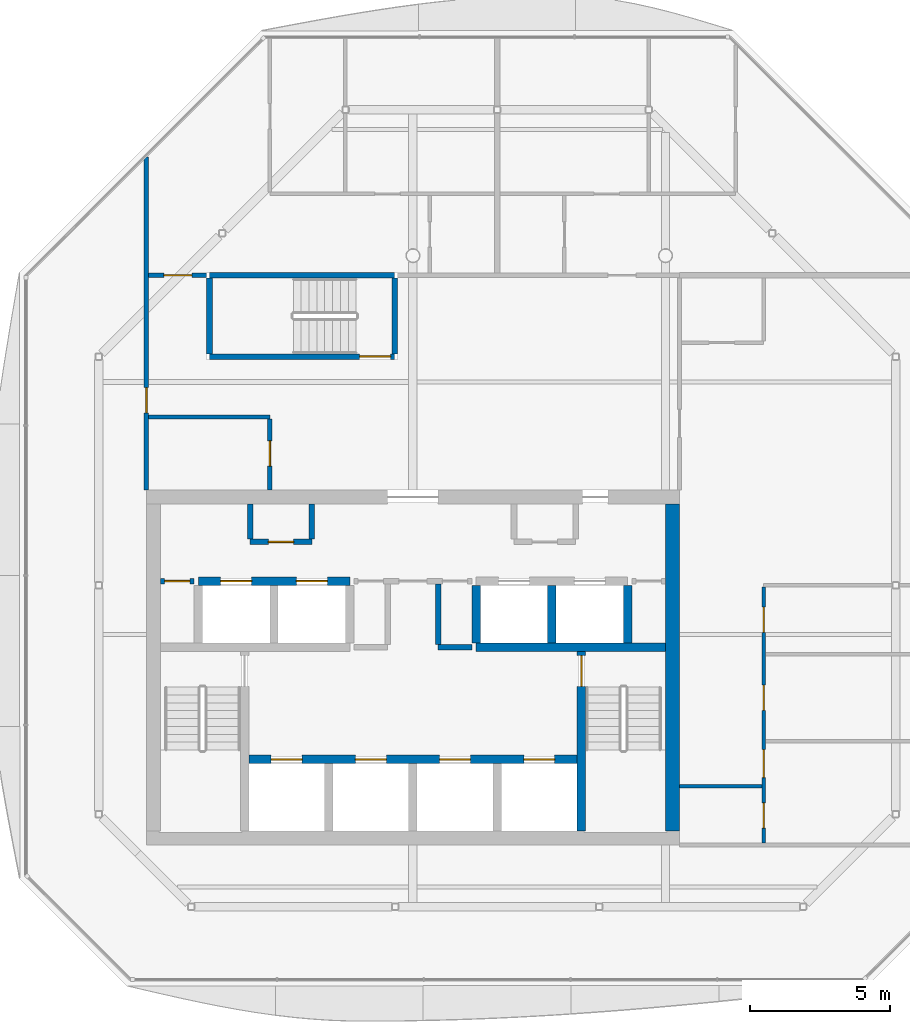
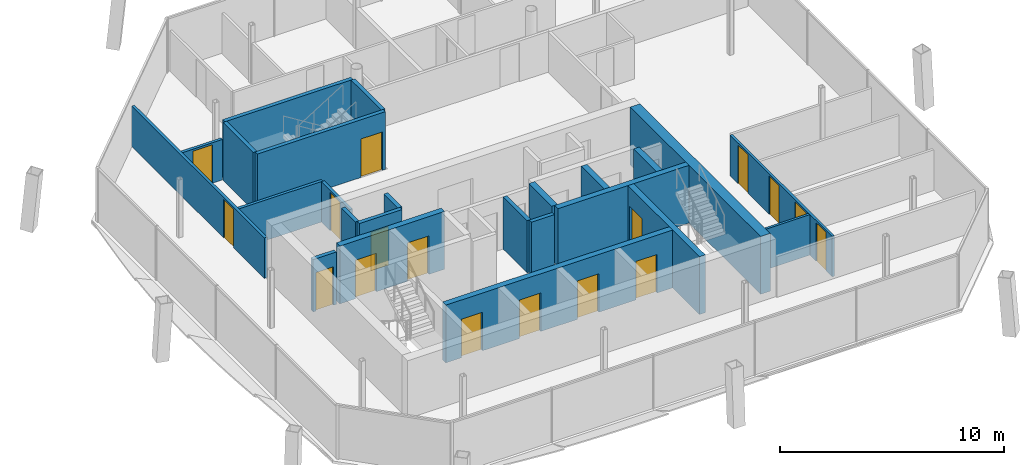
# One storey, part 10 of 16: 24 walls, 17 doors, 17 openings.
"""IFC4 building model written with IfcOpenShell, lengths in metres."""

from ifc_helpers import new_model, si_unit, direction, frame, frame_2d, origin, place, context, subcontext, project, spatial, rectangle, extrude, material, layer, layer_set, type_object, element, fill, save


model = new_model("IFC4")

# Units and contexts
model_context = context("Model", 3, precision=1e-05, world=origin(), true_north=direction((0.0, 1.0)))
body_context = subcontext(model_context, "Body", "Model", "MODEL_VIEW")
ifc_project = project(units=[si_unit("LENGTHUNIT", "METRE"), si_unit("AREAUNIT", "SQUARE_METRE"), si_unit("VOLUMEUNIT", "CUBIC_METRE"), si_unit("PLANEANGLEUNIT", "RADIAN"), si_unit("MASSUNIT", "GRAM", prefix="KILO")], contexts=[model_context])

# Site, building, storey
site_placement = place(None, origin())
site = spatial("IfcSite", under=ifc_project, at=site_placement, CompositionType="ELEMENT")
building_placement = place(site_placement, origin())
building = spatial("IfcBuilding", under=site, at=building_placement, Name="Tskaro Facet Tower", CompositionType="ELEMENT")
storey_placement = place(building_placement, frame((0.0, 0.0, 262.64990234375)))
storey = spatial("IfcBuildingStorey", under=building, at=storey_placement, Name="L69", CompositionType="ELEMENT", Elevation=262.64990234375)

# Wall, openings, doors
ifc_material_1 = material(Name="Concrete C60/75", Category="concrete")
ifc_layer_1 = layer(ifc_material_1, 0.300048828125, Name="Concrete C60/75")
ifc_layer_set_1 = layer_set([ifc_layer_1], Name="Concrete C60/75")
wall_type_1 = type_object("IfcWallType", Name="CORE-SHAFT", PredefinedType="SHEAR", material=ifc_layer_set_1)
wall_1_placement = place(storey_placement, frame((-5.85009765625, -8.949951171875, 0.0), z_axis=(0.0, 0.0, 1.0), x_axis=(1.0, 0.0, 0.0)))
wall_1 = element("IfcWall", 1, at=wall_1_placement, inside=storey, type_object=wall_type_1, Name="Shaft wall W003", PredefinedType="SHEAR", context=body_context, shape_type="SweptSolid", body=[
    extrude(rectangle(XDim=11.7001953125, YDim=0.300048828125, at=frame_2d((5.85009765625, 0.0))), origin(), (0.0, 0.0, 1.0), 3.150146484375),
])
opening_1_placement = place(wall_1_placement, frame((0.800048828125, 0.0, 0.0)))
opening_1 = element("IfcOpeningElement", 2, at=opening_1_placement, cuts=wall_1, Name="Opening LD-FF1", PredefinedType="OPENING", context=body_context, shape_type="SweptSolid", body=[
    extrude(rectangle(XDim=1.10009765625, YDim=2.10009765625, at=frame_2d((0.550048828125, 1.050048828125))), frame((0.0, 0.159912109375, 0.0), z_axis=(0.0, -1.0, 0.0), x_axis=(1.0, 0.0, 0.0)), (0.0, 0.0, 1.0), 0.320068359375),
])
opening_2_placement = place(wall_1_placement, frame((3.800048828125, 0.0, 0.0)))
opening_2 = element("IfcOpeningElement", 3, at=opening_2_placement, cuts=wall_1, Name="Opening LD-FF2", PredefinedType="OPENING", context=body_context, shape_type="SweptSolid", body=[
    extrude(rectangle(XDim=1.10009765625, YDim=2.10009765625, at=frame_2d((0.550048828125, 1.050048828125))), frame((0.0, 0.159912109375, 0.0), z_axis=(0.0, -1.0, 0.0), x_axis=(1.0, 0.0, 0.0)), (0.0, 0.0, 1.0), 0.320068359375),
])
opening_3_placement = place(wall_1_placement, frame((6.800048828125, 0.0, 0.0)))
opening_3 = element("IfcOpeningElement", 4, at=opening_3_placement, cuts=wall_1, Name="Opening LD-SV1", PredefinedType="OPENING", context=body_context, shape_type="SweptSolid", body=[
    extrude(rectangle(XDim=1.10009765625, YDim=2.10009765625, at=frame_2d((0.550048828125, 1.050048828125))), frame((0.0, 0.159912109375, 0.0), z_axis=(0.0, -1.0, 0.0), x_axis=(1.0, 0.0, 0.0)), (0.0, 0.0, 1.0), 0.320068359375),
])
opening_4_placement = place(wall_1_placement, frame((9.800048828125, 0.0, 0.0)))
opening_4 = element("IfcOpeningElement", 5, at=opening_4_placement, cuts=wall_1, Name="Opening LD-SV2", PredefinedType="OPENING", context=body_context, shape_type="SweptSolid", body=[
    extrude(rectangle(XDim=1.10009765625, YDim=2.10009765625, at=frame_2d((0.550048828125, 1.050048828125))), frame((0.0, 0.159912109375, 0.0), z_axis=(0.0, -1.0, 0.0), x_axis=(1.0, 0.0, 0.0)), (0.0, 0.0, 1.0), 0.320068359375),
])
ifc_material_2 = material(Name="Stainless steel", Category="steel")
door_type_1 = type_object("IfcDoorType", Name="D-LANDING", OperationType="NOTDEFINED", PredefinedType="DOOR", material=ifc_material_2)
door_1_placement = place(opening_1_placement, origin())
door_1 = element("IfcDoor", 6, at=door_1_placement, inside=storey, type_object=door_type_1, Name="Landing door FF1", OperationType="DOUBLE_DOOR_SLIDING", OverallHeight=2.10009765625, OverallWidth=1.10009765625, PredefinedType="DOOR", context=body_context, shape_type="SweptSolid", body=[
    extrude(rectangle(XDim=1.10009765625, YDim=2.10009765625, at=frame_2d((0.550048828125, 1.050048828125))), frame((0.0, 0.02490234375, 0.0), z_axis=(0.0, -1.0, 0.0), x_axis=(1.0, 0.0, 0.0)), (0.0, 0.0, 1.0), 0.050048828125),
])
fill(opening_1, door_1)
door_2_placement = place(opening_2_placement, origin())
door_2 = element("IfcDoor", 7, at=door_2_placement, inside=storey, type_object=door_type_1, Name="Landing door FF2", OperationType="DOUBLE_DOOR_SLIDING", OverallHeight=2.10009765625, OverallWidth=1.10009765625, PredefinedType="DOOR", context=body_context, shape_type="SweptSolid", body=[
    extrude(rectangle(XDim=1.10009765625, YDim=2.10009765625, at=frame_2d((0.550048828125, 1.050048828125))), frame((0.0, 0.02490234375, 0.0), z_axis=(0.0, -1.0, 0.0), x_axis=(1.0, 0.0, 0.0)), (0.0, 0.0, 1.0), 0.050048828125),
])
fill(opening_2, door_2)
door_3_placement = place(opening_3_placement, origin())
door_3 = element("IfcDoor", 8, at=door_3_placement, inside=storey, type_object=door_type_1, Name="Landing door SV1", OperationType="DOUBLE_DOOR_SLIDING", OverallHeight=2.10009765625, OverallWidth=1.10009765625, PredefinedType="DOOR", context=body_context, shape_type="SweptSolid", body=[
    extrude(rectangle(XDim=1.10009765625, YDim=2.10009765625, at=frame_2d((0.550048828125, 1.050048828125))), frame((0.0, 0.02490234375, 0.0), z_axis=(0.0, -1.0, 0.0), x_axis=(1.0, 0.0, 0.0)), (0.0, 0.0, 1.0), 0.050048828125),
])
fill(opening_3, door_3)
door_4_placement = place(opening_4_placement, origin())
door_4 = element("IfcDoor", 9, at=door_4_placement, inside=storey, type_object=door_type_1, Name="Landing door SV2", OperationType="DOUBLE_DOOR_SLIDING", OverallHeight=2.10009765625, OverallWidth=1.10009765625, PredefinedType="DOOR", context=body_context, shape_type="SweptSolid", body=[
    extrude(rectangle(XDim=1.10009765625, YDim=2.10009765625, at=frame_2d((0.550048828125, 1.050048828125))), frame((0.0, 0.02490234375, 0.0), z_axis=(0.0, -1.0, 0.0), x_axis=(1.0, 0.0, 0.0)), (0.0, 0.0, 1.0), 0.050048828125),
])
fill(opening_4, door_4)

# Wall
wall_2_placement = place(storey_placement, frame((2.25, -4.949951171875, 0.0), z_axis=(0.0, 0.0, 1.0), x_axis=(1.0, 0.0, 0.0)))
element("IfcWall", 10, at=wall_2_placement, inside=storey, type_object=wall_type_1, Name="Shaft wall W009", PredefinedType="SHEAR", context=body_context, shape_type="SweptSolid", body=[
    extrude(rectangle(XDim=6.75, YDim=0.300048828125, at=frame_2d((3.375, 0.0))), origin(), (0.0, 0.0, 1.0), 3.150146484375),
])

# Wall, openings, doors
wall_3_placement = place(storey_placement, frame((-7.64990234375, -2.60009765625, 0.0), z_axis=(0.0, 0.0, 1.0), x_axis=(1.0, 0.0, 0.0)))
wall_3 = element("IfcWall", 11, at=wall_3_placement, inside=storey, type_object=wall_type_1, Name="Shaft wall W013", PredefinedType="SHEAR", context=body_context, shape_type="SweptSolid", body=[
    extrude(rectangle(XDim=5.39990234375, YDim=0.300048828125, at=frame_2d((2.699951171875, 0.0))), origin(), (0.0, 0.0, 1.0), 3.150146484375),
])
opening_5_placement = place(wall_3_placement, frame((0.800048828125, 0.0, 0.0)))
opening_5 = element("IfcOpeningElement", 12, at=opening_5_placement, cuts=wall_3, Name="Opening LD-HB1", PredefinedType="OPENING", context=body_context, shape_type="SweptSolid", body=[
    extrude(rectangle(XDim=1.10009765625, YDim=2.10009765625, at=frame_2d((0.550048828125, 1.050048828125))), frame((0.0, 0.159912109375, 0.0), z_axis=(0.0, -1.0, 0.0), x_axis=(1.0, 0.0, 0.0)), (0.0, 0.0, 1.0), 0.320068359375),
])
opening_6_placement = place(wall_3_placement, frame((3.5, 0.0, 0.0)))
opening_6 = element("IfcOpeningElement", 13, at=opening_6_placement, cuts=wall_3, Name="Opening LD-HB2", PredefinedType="OPENING", context=body_context, shape_type="SweptSolid", body=[
    extrude(rectangle(XDim=1.10009765625, YDim=2.10009765625, at=frame_2d((0.550048828125, 1.050048828125))), frame((0.0, 0.159912109375, 0.0), z_axis=(0.0, -1.0, 0.0), x_axis=(1.0, 0.0, 0.0)), (0.0, 0.0, 1.0), 0.320068359375),
])
door_5_placement = place(opening_5_placement, origin())
door_5 = element("IfcDoor", 14, at=door_5_placement, inside=storey, type_object=door_type_1, Name="Landing door HB1", OperationType="DOUBLE_DOOR_SLIDING", OverallHeight=2.10009765625, OverallWidth=1.10009765625, PredefinedType="DOOR", context=body_context, shape_type="SweptSolid", body=[
    extrude(rectangle(XDim=1.10009765625, YDim=2.10009765625, at=frame_2d((0.550048828125, 1.050048828125))), frame((0.0, 0.02490234375, 0.0), z_axis=(0.0, -1.0, 0.0), x_axis=(1.0, 0.0, 0.0)), (0.0, 0.0, 1.0), 0.050048828125),
])
fill(opening_5, door_5)
door_6_placement = place(opening_6_placement, origin())
door_6 = element("IfcDoor", 15, at=door_6_placement, inside=storey, type_object=door_type_1, Name="Landing door HB2", OperationType="DOUBLE_DOOR_SLIDING", OverallHeight=2.10009765625, OverallWidth=1.10009765625, PredefinedType="DOOR", context=body_context, shape_type="SweptSolid", body=[
    extrude(rectangle(XDim=1.10009765625, YDim=2.10009765625, at=frame_2d((0.550048828125, 1.050048828125))), frame((0.0, 0.02490234375, 0.0), z_axis=(0.0, -1.0, 0.0), x_axis=(1.0, 0.0, 0.0)), (0.0, 0.0, 1.0), 0.050048828125),
])
fill(opening_6, door_6)

# Walls
for number, where, z_axis, x_axis, name in (
    (16, (2.25, -4.800048828125, 0.0), (0.0, 0.0, 1.0), (0.0, 1.0, 0.0), "Shaft wall W045"),
    (17, (4.949951171875, -4.800048828125, 0.0), (0.0, 0.0, 1.0), (0.0, 1.0, 0.0), "Shaft wall W050"),
):
    element("IfcWall", number, at=place(storey_placement, frame(where, z_axis=z_axis, x_axis=x_axis)), inside=storey, type_object=wall_type_1, Name=name, PredefinedType="SHEAR", context=body_context, shape_type="SweptSolid", body=[
        extrude(rectangle(XDim=2.050048828125, YDim=0.300048828125, at=frame_2d((1.02490234375, 0.0))), origin(), (0.0, 0.0, 1.0), 3.150146484375),
    ])

# Wall, opening, door
wall_4_placement = place(storey_placement, frame((6.0, -5.10009765625, 0.0), z_axis=(0.0, 0.0, 1.0), x_axis=(0.0, -1.0, 0.0)))
wall_4 = element("IfcWall", 18, at=wall_4_placement, inside=storey, type_object=wall_type_1, Name="Shaft wall W053", PredefinedType="SHEAR", context=body_context, shape_type="SweptSolid", body=[
    extrude(rectangle(XDim=6.39990234375, YDim=0.300048828125, at=frame_2d((3.199951171875, 0.0))), origin(), (0.0, 0.0, 1.0), 3.150146484375),
])
opening_7_placement = place(wall_4_placement, frame((0.14990234375, 0.0, 0.0)))
opening_7 = element("IfcOpeningElement", 19, at=opening_7_placement, cuts=wall_4, Name="Opening ST-2-D1", PredefinedType="OPENING", context=body_context, shape_type="SweptSolid", body=[
    extrude(rectangle(XDim=1.10009765625, YDim=2.10009765625, at=frame_2d((0.550048828125, 1.050048828125))), frame((0.0, 0.159912109375, 0.0), z_axis=(0.0, -1.0, 0.0), x_axis=(1.0, 0.0, 0.0)), (0.0, 0.0, 1.0), 0.320068359375),
])
ifc_material_3 = material(Name="Steel", Category="steel")
door_type_2 = type_object("IfcDoorType", Name="D-STAIR", OperationType="NOTDEFINED", PredefinedType="DOOR", material=ifc_material_3)
door_7_placement = place(opening_7_placement, origin())
door_7 = element("IfcDoor", 20, at=door_7_placement, inside=storey, type_object=door_type_2, Name="Stair door 2", OperationType="SINGLE_SWING_RIGHT", OverallHeight=2.10009765625, OverallWidth=1.10009765625, PredefinedType="DOOR", context=body_context, shape_type="SweptSolid", body=[
    extrude(rectangle(XDim=1.10009765625, YDim=2.10009765625, at=frame_2d((0.550048828125, 1.050048828125))), frame((0.0, 0.02490234375, 0.0), z_axis=(0.0, -1.0, 0.0), x_axis=(1.0, 0.0, 0.0)), (0.0, 0.0, 1.0), 0.050048828125),
])
fill(opening_7, door_7)

# Walls
wall_5_placement = place(storey_placement, frame((7.64990234375, -4.800048828125, 0.0), z_axis=(0.0, 0.0, 1.0), x_axis=(0.0, 1.0, 0.0)))
element("IfcWall", 21, at=wall_5_placement, inside=storey, type_object=wall_type_1, Name="Shaft wall W054", PredefinedType="SHEAR", context=body_context, shape_type="SweptSolid", body=[
    extrude(rectangle(XDim=2.050048828125, YDim=0.300048828125, at=frame_2d((1.02490234375, 0.0))), origin(), (0.0, 0.0, 1.0), 3.150146484375),
])
ifc_material_4 = material(Name="Concrete C20/25", Category="concrete")
ifc_layer_2 = layer(ifc_material_4, 0.199951171875, Name="Concrete C20/25")
ifc_layer_set_2 = layer_set([ifc_layer_2], Name="Concrete C20/25")
wall_type_2 = type_object("IfcWallType", Name="CORE-WALL", PredefinedType="SOLIDWALL", material=ifc_layer_set_2)
wall_6_placement = place(storey_placement, frame((0.89990234375, -4.949951171875, 0.0), z_axis=(0.0, 0.0, 1.0), x_axis=(1.0, 0.0, 0.0)))
element("IfcWall", 22, at=wall_6_placement, inside=storey, type_object=wall_type_2, Name="Core room wall W008", PredefinedType="SOLIDWALL", context=body_context, shape_type="SweptSolid", body=[
    extrude(rectangle(XDim=1.2001953125, YDim=0.199951171875, at=frame_2d((0.60009765625, 0.0))), origin(), (0.0, 0.0, 1.0), 2.85009765625),
])

# Wall, opening, door
wall_7_placement = place(storey_placement, frame((-7.800048828125, -2.60009765625, 0.0), z_axis=(0.0, 0.0, 1.0), x_axis=(-1.0, 0.0, 0.0)))
wall_7 = element("IfcWall", 23, at=wall_7_placement, inside=storey, type_object=wall_type_2, Name="Core room wall W012", PredefinedType="SOLIDWALL", context=body_context, shape_type="SweptSolid", body=[
    extrude(rectangle(XDim=1.199951171875, YDim=0.199951171875, at=frame_2d((0.60009765625, 0.0))), origin(), (0.0, 0.0, 1.0), 2.85009765625),
])
opening_8_placement = place(wall_7_placement, frame((0.14990234375, 0.0, 0.0)))
opening_8 = element("IfcOpeningElement", 24, at=opening_8_placement, cuts=wall_7, Name="Opening T20-D05", PredefinedType="OPENING", context=body_context, shape_type="SweptSolid", body=[
    extrude(rectangle(XDim=0.89990234375, YDim=2.10009765625, at=frame_2d((0.449951171875, 1.050048828125))), frame((0.0, 0.10986328125, 0.0), z_axis=(0.0, -1.0, 0.0), x_axis=(1.0, 0.0, 0.0)), (0.0, 0.0, 1.0), 0.219970703125),
])
ifc_material_5 = material(Name="Timber", Category="wood")
door_type_3 = type_object("IfcDoorType", Name="D-ROOM", OperationType="NOTDEFINED", PredefinedType="DOOR", material=ifc_material_5)
door_8_placement = place(opening_8_placement, origin())
door_8 = element("IfcDoor", 25, at=door_8_placement, inside=storey, type_object=door_type_3, Name="Door T20-D05", OperationType="SINGLE_SWING_RIGHT", OverallHeight=2.10009765625, OverallWidth=0.89990234375, PredefinedType="DOOR", context=body_context, shape_type="SweptSolid", body=[
    extrude(rectangle(XDim=0.89990234375, YDim=2.10009765625, at=frame_2d((0.449951171875, 1.050048828125))), frame((0.0, 0.02490234375, 0.0), z_axis=(0.0, -1.0, 0.0), x_axis=(1.0, 0.0, 0.0)), (0.0, 0.0, 1.0), 0.050048828125),
])
fill(opening_8, door_8)

wall_8_placement = place(storey_placement, frame((-5.800048828125, -1.199951171875, 0.0), z_axis=(0.0, 0.0, 1.0), x_axis=(1.0, 0.0, 0.0)))
wall_8 = element("IfcWall", 26, at=wall_8_placement, inside=storey, type_object=wall_type_2, Name="Core room wall W017", PredefinedType="SOLIDWALL", context=body_context, shape_type="SweptSolid", body=[
    extrude(rectangle(XDim=2.199951171875, YDim=0.199951171875, at=frame_2d((1.10009765625, 0.0))), origin(), (0.0, 0.0, 1.0), 2.85009765625),
])
opening_9_placement = place(wall_8_placement, frame((0.64990234375, 0.0, 0.0)))
opening_9 = element("IfcOpeningElement", 27, at=opening_9_placement, cuts=wall_8, Name="Opening T20-D09", PredefinedType="OPENING", context=body_context, shape_type="SweptSolid", body=[
    extrude(rectangle(XDim=0.89990234375, YDim=2.10009765625, at=frame_2d((0.449951171875, 1.050048828125))), frame((0.0, 0.10986328125, 0.0), z_axis=(0.0, -1.0, 0.0), x_axis=(1.0, 0.0, 0.0)), (0.0, 0.0, 1.0), 0.219970703125),
])
door_9_placement = place(opening_9_placement, origin())
door_9 = element("IfcDoor", 28, at=door_9_placement, inside=storey, type_object=door_type_3, Name="Door T20-D09", OperationType="SINGLE_SWING_LEFT", OverallHeight=2.10009765625, OverallWidth=0.89990234375, PredefinedType="DOOR", context=body_context, shape_type="SweptSolid", body=[
    extrude(rectangle(XDim=0.89990234375, YDim=2.10009765625, at=frame_2d((0.449951171875, 1.050048828125))), frame((0.0, 0.02490234375, 0.0), z_axis=(0.0, -1.0, 0.0), x_axis=(1.0, 0.0, 0.0)), (0.0, 0.0, 1.0), 0.050048828125),
])
fill(opening_9, door_9)

# Walls
for number, where, z_axis, x_axis, name in (
    (29, (-5.800048828125, -1.10009765625, 0.0), (0.0, 0.0, 1.0), (0.0, 1.0, 0.0), "Core room wall W031"),
    (30, (-3.60009765625, -1.10009765625, 0.0), (0.0, 0.0, 1.0), (0.0, 1.0, 0.0), "Core room wall W035"),
):
    element("IfcWall", number, at=place(storey_placement, frame(where, z_axis=z_axis, x_axis=x_axis)), inside=storey, type_object=wall_type_2, Name=name, PredefinedType="SOLIDWALL", context=body_context, shape_type="SweptSolid", body=[
        extrude(rectangle(XDim=1.25, YDim=0.199951171875, at=frame_2d((0.625, 0.0))), origin(), (0.0, 0.0, 1.0), 2.85009765625),
    ])
wall_9_placement = place(storey_placement, frame((0.89990234375, -4.85009765625, 0.0), z_axis=(0.0, 0.0, 1.0), x_axis=(0.0, 1.0, 0.0)))
element("IfcWall", 31, at=wall_9_placement, inside=storey, type_object=wall_type_2, Name="Core room wall W044", PredefinedType="SOLIDWALL", context=body_context, shape_type="SweptSolid", body=[
    extrude(rectangle(XDim=2.150146484375, YDim=0.199951171875, at=frame_2d((1.0751953125, 0.0))), origin(), (0.0, 0.0, 1.0), 2.85009765625),
])
ifc_material_6 = material(Name="Concrete C40/50", Category="concrete")
ifc_layer_3 = layer(ifc_material_6, 0.5, Name="Concrete C40/50")
ifc_layer_set_3 = layer_set([ifc_layer_3], Name="Concrete C40/50")
wall_type_3 = type_object("IfcWallType", Name="Core wall 500", PredefinedType="SHEAR", material=ifc_layer_set_3)
wall_10_placement = place(storey_placement, frame((9.25, -11.5, 0.0), z_axis=(0.0, 0.0, 1.0), x_axis=(0.0, 1.0, 0.0)))
element("IfcWall", 32, at=wall_10_placement, inside=storey, type_object=wall_type_3, Name="Core wall CW-Z3E", PredefinedType="SHEAR", context=body_context, shape_type="SweptSolid", body=[
    extrude(rectangle(XDim=11.64990234375, YDim=0.5, at=frame_2d((5.824951171875, 0.0))), origin(), (0.0, 0.0, 1.0), 3.150146484375),
])
ifc_material_7 = material(Name="Gypsum board on steel studs", Category="steel")
ifc_layer_4 = layer(ifc_material_7, 0.125, Name="Gypsum board on steel studs")
ifc_layer_set_4 = layer_set([ifc_layer_4], Name="Gypsum board on steel studs")
wall_type_4 = type_object("IfcWallType", Name="PART", PredefinedType="PARTITIONING", material=ifc_layer_set_4)
wall_11_placement = place(storey_placement, frame((9.5, -9.89990234375, 0.0), z_axis=(0.0, 0.0, 1.0), x_axis=(1.0, 0.0, 0.0)))
element("IfcWall", 33, at=wall_11_placement, inside=storey, type_object=wall_type_4, Name="Partition W002", PredefinedType="PARTITIONING", context=body_context, shape_type="SweptSolid", body=[
    extrude(rectangle(XDim=2.9375, YDim=0.125, at=frame_2d((1.46875, 0.0))), origin(), (0.0, 0.0, 1.0), 2.210205078125),
])

# Wall, openings, doors
wall_12_placement = place(storey_placement, frame((12.5, -2.8125, 0.0), z_axis=(0.0, 0.0, 1.0), x_axis=(0.0, -1.0, 0.0)))
wall_12 = element("IfcWall", 34, at=wall_12_placement, inside=storey, type_object=wall_type_4, Name="Partition W059", PredefinedType="PARTITIONING", context=body_context, shape_type="SweptSolid", body=[
    extrude(rectangle(XDim=9.112548828125, YDim=0.125, at=frame_2d((4.55615234375, 0.0))), origin(), (0.0, 0.0, 1.0), 2.210205078125),
])
opening_10_placement = place(wall_12_placement, frame((3.487548828125, 0.0, 0.0)))
opening_10 = element("IfcOpeningElement", 35, at=opening_10_placement, cuts=wall_12, Name="Opening T20-D03", PredefinedType="OPENING", context=body_context, shape_type="SweptSolid", body=[
    extrude(rectangle(XDim=0.89990234375, YDim=2.10009765625, at=frame_2d((0.449951171875, 1.050048828125))), frame((0.0, 0.072509765625, 0.0), z_axis=(0.0, -1.0, 0.0), x_axis=(1.0, 0.0, 0.0)), (0.0, 0.0, 1.0), 0.14501953125),
])
opening_11_placement = place(wall_12_placement, frame((0.71240234375, 0.0, 0.0)))
opening_11 = element("IfcOpeningElement", 36, at=opening_11_placement, cuts=wall_12, Name="Opening T20-D04", PredefinedType="OPENING", context=body_context, shape_type="SweptSolid", body=[
    extrude(rectangle(XDim=0.89990234375, YDim=2.10009765625, at=frame_2d((0.449951171875, 1.050048828125))), frame((0.0, 0.072509765625, 0.0), z_axis=(0.0, -1.0, 0.0), x_axis=(1.0, 0.0, 0.0)), (0.0, 0.0, 1.0), 0.14501953125),
])
opening_12_placement = place(wall_12_placement, frame((5.78759765625, 0.0, 0.0)))
opening_12 = element("IfcOpeningElement", 37, at=opening_12_placement, cuts=wall_12, Name="Opening T20-D02", PredefinedType="OPENING", context=body_context, shape_type="SweptSolid", body=[
    extrude(rectangle(XDim=1.0, YDim=2.10009765625, at=frame_2d((0.5, 1.050048828125))), frame((0.0, 0.072509765625, 0.0), z_axis=(0.0, -1.0, 0.0), x_axis=(1.0, 0.0, 0.0)), (0.0, 0.0, 1.0), 0.14501953125),
])
opening_13_placement = place(wall_12_placement, frame((7.6875, 0.0, 0.0)))
opening_13 = element("IfcOpeningElement", 38, at=opening_13_placement, cuts=wall_12, Name="Opening T20-D01", PredefinedType="OPENING", context=body_context, shape_type="SweptSolid", body=[
    extrude(rectangle(XDim=0.89990234375, YDim=2.10009765625, at=frame_2d((0.449951171875, 1.050048828125))), frame((0.0, 0.072509765625, 0.0), z_axis=(0.0, -1.0, 0.0), x_axis=(1.0, 0.0, 0.0)), (0.0, 0.0, 1.0), 0.14501953125),
])
door_10_placement = place(opening_10_placement, origin())
door_10 = element("IfcDoor", 39, at=door_10_placement, inside=storey, type_object=door_type_3, Name="Door T20-D03", OperationType="SINGLE_SWING_LEFT", OverallHeight=2.10009765625, OverallWidth=0.89990234375, PredefinedType="DOOR", context=body_context, shape_type="SweptSolid", body=[
    extrude(rectangle(XDim=0.89990234375, YDim=2.10009765625, at=frame_2d((0.449951171875, 1.050048828125))), frame((0.0, 0.02490234375, 0.0), z_axis=(0.0, -1.0, 0.0), x_axis=(1.0, 0.0, 0.0)), (0.0, 0.0, 1.0), 0.050048828125),
])
fill(opening_10, door_10)
door_11_placement = place(opening_11_placement, origin())
door_11 = element("IfcDoor", 40, at=door_11_placement, inside=storey, type_object=door_type_3, Name="Door T20-D04", OperationType="SINGLE_SWING_RIGHT", OverallHeight=2.10009765625, OverallWidth=0.89990234375, PredefinedType="DOOR", context=body_context, shape_type="SweptSolid", body=[
    extrude(rectangle(XDim=0.89990234375, YDim=2.10009765625, at=frame_2d((0.449951171875, 1.050048828125))), frame((0.0, 0.02490234375, 0.0), z_axis=(0.0, -1.0, 0.0), x_axis=(1.0, 0.0, 0.0)), (0.0, 0.0, 1.0), 0.050048828125),
])
fill(opening_11, door_11)
door_12_placement = place(opening_13_placement, origin())
door_12 = element("IfcDoor", 41, at=door_12_placement, inside=storey, type_object=door_type_3, Name="Door T20-D01", OperationType="SINGLE_SWING_LEFT", OverallHeight=2.10009765625, OverallWidth=0.89990234375, PredefinedType="DOOR", context=body_context, shape_type="SweptSolid", body=[
    extrude(rectangle(XDim=0.89990234375, YDim=2.10009765625, at=frame_2d((0.449951171875, 1.050048828125))), frame((0.0, 0.02490234375, 0.0), z_axis=(0.0, -1.0, 0.0), x_axis=(1.0, 0.0, 0.0)), (0.0, 0.0, 1.0), 0.050048828125),
])
fill(opening_13, door_12)
door_type_4 = type_object("IfcDoorType", Name="D-ROOM-WIDE", OperationType="NOTDEFINED", PredefinedType="DOOR", material=ifc_material_5)
door_13_placement = place(opening_12_placement, origin())
door_13 = element("IfcDoor", 42, at=door_13_placement, inside=storey, type_object=door_type_4, Name="Door T20-D02", OperationType="SINGLE_SWING_RIGHT", OverallHeight=2.10009765625, OverallWidth=1.0, PredefinedType="DOOR", context=body_context, shape_type="SweptSolid", body=[
    extrude(rectangle(XDim=1.0, YDim=2.10009765625, at=frame_2d((0.5, 1.050048828125))), frame((0.0, 0.02490234375, 0.0), z_axis=(0.0, -1.0, 0.0), x_axis=(1.0, 0.0, 0.0)), (0.0, 0.0, 1.0), 0.050048828125),
])
fill(opening_12, door_13)

# Wall
ifc_layer_5 = layer(ifc_material_7, 0.14990234375, Name="Gypsum board on steel studs")
ifc_layer_set_5 = layer_set([ifc_layer_5], Name="Gypsum board on steel studs")
wall_type_5 = type_object("IfcWallType", Name="PART-CORR", PredefinedType="PARTITIONING", material=ifc_layer_set_5)
wall_13_placement = place(storey_placement, frame((-9.425048828125, 3.25, 0.0), z_axis=(0.0, 0.0, 1.0), x_axis=(1.0, 0.0, 0.0)))
element("IfcWall", 43, at=wall_13_placement, inside=storey, type_object=wall_type_5, Name="Corridor wall W019", PredefinedType="PARTITIONING", context=body_context, shape_type="SweptSolid", body=[
    extrude(rectangle(XDim=4.324951171875, YDim=0.14990234375, at=frame_2d((2.16259765625, 0.0))), origin(), (0.0, 0.0, 1.0), 2.210205078125),
])

# Wall, opening, door
wall_14_placement = place(storey_placement, frame((-9.425048828125, 8.300048828125, 0.0), z_axis=(0.0, 0.0, 1.0), x_axis=(1.0, 0.0, 0.0)))
wall_14 = element("IfcWall", 44, at=wall_14_placement, inside=storey, type_object=wall_type_5, Name="Corridor wall W022", PredefinedType="PARTITIONING", context=body_context, shape_type="SweptSolid", body=[
    extrude(rectangle(XDim=2.074951171875, YDim=0.14990234375, at=frame_2d((1.03759765625, 0.0))), origin(), (0.0, 0.0, 1.0), 2.210205078125),
])
opening_14_placement = place(wall_14_placement, frame((0.550048828125, 0.0, 0.0)))
opening_14 = element("IfcOpeningElement", 45, at=opening_14_placement, cuts=wall_14, Name="Opening T20-D17", PredefinedType="OPENING", context=body_context, shape_type="SweptSolid", body=[
    extrude(rectangle(XDim=1.0, YDim=2.10009765625, at=frame_2d((0.5, 1.050048828125))), frame((0.0, 0.0849609375, 0.0), z_axis=(0.0, -1.0, 0.0), x_axis=(1.0, 0.0, 0.0)), (0.0, 0.0, 1.0), 0.169921875),
])
door_type_5 = type_object("IfcDoorType", Name="D-FLAT-ENTRY", OperationType="NOTDEFINED", PredefinedType="DOOR", material=ifc_material_5)
door_14_placement = place(opening_14_placement, origin())
door_14 = element("IfcDoor", 46, at=door_14_placement, inside=storey, type_object=door_type_5, Name="Door T20-D17", OperationType="SINGLE_SWING_LEFT", OverallHeight=2.10009765625, OverallWidth=1.0, PredefinedType="DOOR", context=body_context, shape_type="SweptSolid", body=[
    extrude(rectangle(XDim=1.0, YDim=2.10009765625, at=frame_2d((0.5, 1.050048828125))), frame((0.0, 0.02490234375, 0.0), z_axis=(0.0, -1.0, 0.0), x_axis=(1.0, 0.0, 0.0)), (0.0, 0.0, 1.0), 0.050048828125),
])
fill(opening_14, door_14)

wall_15_placement = place(storey_placement, frame((-9.5, 0.64990234375, 0.0), z_axis=(0.0, 0.0, 1.0), x_axis=(0.0, 1.0, 0.0)))
wall_15 = element("IfcWall", 47, at=wall_15_placement, inside=storey, type_object=wall_type_5, Name="Corridor wall W027", PredefinedType="PARTITIONING", context=body_context, shape_type="SweptSolid", body=[
    extrude(rectangle(XDim=11.860107421875, YDim=0.14990234375, at=frame_2d((5.93017578125, 0.0))), origin(), (0.0, 0.0, 1.0), 2.210205078125),
])
opening_15_placement = place(wall_15_placement, frame((2.75, 0.0, 0.0)))
opening_15 = element("IfcOpeningElement", 48, at=opening_15_placement, cuts=wall_15, Name="Opening T20-D15", PredefinedType="OPENING", context=body_context, shape_type="SweptSolid", body=[
    extrude(rectangle(XDim=0.89990234375, YDim=2.10009765625, at=frame_2d((0.449951171875, 1.050048828125))), frame((0.0, 0.0849609375, 0.0), z_axis=(0.0, -1.0, 0.0), x_axis=(1.0, 0.0, 0.0)), (0.0, 0.0, 1.0), 0.169921875),
])
door_15_placement = place(opening_15_placement, origin())
door_15 = element("IfcDoor", 49, at=door_15_placement, inside=storey, type_object=door_type_3, Name="Door T20-D15", OperationType="SINGLE_SWING_LEFT", OverallHeight=2.10009765625, OverallWidth=0.89990234375, PredefinedType="DOOR", context=body_context, shape_type="SweptSolid", body=[
    extrude(rectangle(XDim=0.89990234375, YDim=2.10009765625, at=frame_2d((0.449951171875, 1.050048828125))), frame((0.0, 0.02490234375, 0.0), z_axis=(0.0, -1.0, 0.0), x_axis=(1.0, 0.0, 0.0)), (0.0, 0.0, 1.0), 0.050048828125),
])
fill(opening_15, door_15)

wall_16_placement = place(storey_placement, frame((-5.10009765625, 0.64990234375, 0.0), z_axis=(0.0, 0.0, 1.0), x_axis=(0.0, 1.0, 0.0)))
wall_16 = element("IfcWall", 50, at=wall_16_placement, inside=storey, type_object=wall_type_5, Name="Corridor wall W032", PredefinedType="PARTITIONING", context=body_context, shape_type="SweptSolid", body=[
    extrude(rectangle(XDim=2.525146484375, YDim=0.14990234375, at=frame_2d((1.2626953125, 0.0))), origin(), (0.0, 0.0, 1.0), 2.210205078125),
])
opening_16_placement = place(wall_16_placement, frame((0.85009765625, 0.0, 0.0)))
opening_16 = element("IfcOpeningElement", 51, at=opening_16_placement, cuts=wall_16, Name="Opening T20-D13", PredefinedType="OPENING", context=body_context, shape_type="SweptSolid", body=[
    extrude(rectangle(XDim=0.89990234375, YDim=2.10009765625, at=frame_2d((0.449951171875, 1.050048828125))), frame((0.0, 0.0849609375, 0.0), z_axis=(0.0, -1.0, 0.0), x_axis=(1.0, 0.0, 0.0)), (0.0, 0.0, 1.0), 0.169921875),
])
door_16_placement = place(opening_16_placement, origin())
door_16 = element("IfcDoor", 52, at=door_16_placement, inside=storey, type_object=door_type_3, Name="Door T20-D13", OperationType="SINGLE_SWING_LEFT", OverallHeight=2.10009765625, OverallWidth=0.89990234375, PredefinedType="DOOR", context=body_context, shape_type="SweptSolid", body=[
    extrude(rectangle(XDim=0.89990234375, YDim=2.10009765625, at=frame_2d((0.449951171875, 1.050048828125))), frame((0.0, 0.02490234375, 0.0), z_axis=(0.0, -1.0, 0.0), x_axis=(1.0, 0.0, 0.0)), (0.0, 0.0, 1.0), 0.050048828125),
])
fill(opening_16, door_16)

ifc_layer_6 = layer(ifc_material_1, 0.199951171875, Name="Concrete C60/75")
ifc_layer_set_6 = layer_set([ifc_layer_6], Name="Concrete C60/75")
wall_type_6 = type_object("IfcWallType", Name="STAIR-WALL", PredefinedType="SHEAR", material=ifc_layer_set_6)
wall_17_placement = place(storey_placement, frame((-7.25, 5.39990234375, 0.0), z_axis=(0.0, 0.0, 1.0), x_axis=(1.0, 0.0, 0.0)))
wall_17 = element("IfcWall", 53, at=wall_17_placement, inside=storey, type_object=wall_type_6, Name="Stair wall W020", PredefinedType="SHEAR", context=body_context, shape_type="SweptSolid", body=[
    extrude(rectangle(XDim=6.60009765625, YDim=0.199951171875, at=frame_2d((3.300048828125, 0.0))), origin(), (0.0, 0.0, 1.0), 3.150146484375),
])
opening_17_placement = place(wall_17_placement, frame((5.35009765625, 0.0, 0.0)))
opening_17 = element("IfcOpeningElement", 54, at=opening_17_placement, cuts=wall_17, Name="Opening ST-3-D1", PredefinedType="OPENING", context=body_context, shape_type="SweptSolid", body=[
    extrude(rectangle(XDim=1.10009765625, YDim=2.10009765625, at=frame_2d((0.550048828125, 1.050048828125))), frame((0.0, 0.10986328125, 0.0), z_axis=(0.0, -1.0, 0.0), x_axis=(1.0, 0.0, 0.0)), (0.0, 0.0, 1.0), 0.219970703125),
])
door_17_placement = place(opening_17_placement, origin())
door_17 = element("IfcDoor", 55, at=door_17_placement, inside=storey, type_object=door_type_2, Name="Stair door 3", OperationType="SINGLE_SWING_LEFT", OverallHeight=2.10009765625, OverallWidth=1.10009765625, PredefinedType="DOOR", context=body_context, shape_type="SweptSolid", body=[
    extrude(rectangle(XDim=1.10009765625, YDim=2.10009765625, at=frame_2d((0.550048828125, 1.050048828125))), frame((0.0, 0.02490234375, 0.0), z_axis=(0.0, -1.0, 0.0), x_axis=(1.0, 0.0, 0.0)), (0.0, 0.0, 1.0), 0.050048828125),
])
fill(opening_17, door_17)

# Walls
wall_18_placement = place(storey_placement, frame((-7.25, 8.300048828125, 0.0), z_axis=(0.0, 0.0, 1.0), x_axis=(1.0, 0.0, 0.0)))
element("IfcWall", 56, at=wall_18_placement, inside=storey, type_object=wall_type_6, Name="Stair wall W023", PredefinedType="SHEAR", context=body_context, shape_type="SweptSolid", body=[
    extrude(rectangle(XDim=6.60009765625, YDim=0.199951171875, at=frame_2d((3.300048828125, 0.0))), origin(), (0.0, 0.0, 1.0), 3.150146484375),
])
for number, where, z_axis, x_axis, name in (
    (57, (-7.25, 5.5, 0.0), (0.0, 0.0, 1.0), (0.0, 1.0, 0.0), "Stair wall W029"),
    (58, (-0.64990234375, 5.5, 0.0), (0.0, 0.0, 1.0), (0.0, 1.0, 0.0), "Stair wall W041"),
):
    element("IfcWall", number, at=place(storey_placement, frame(where, z_axis=z_axis, x_axis=x_axis)), inside=storey, type_object=wall_type_6, Name=name, PredefinedType="SHEAR", context=body_context, shape_type="SweptSolid", body=[
        extrude(rectangle(XDim=2.699951171875, YDim=0.199951171875, at=frame_2d((1.35009765625, 0.0))), origin(), (0.0, 0.0, 1.0), 3.150146484375),
    ])

save(model, "model.ifc")
